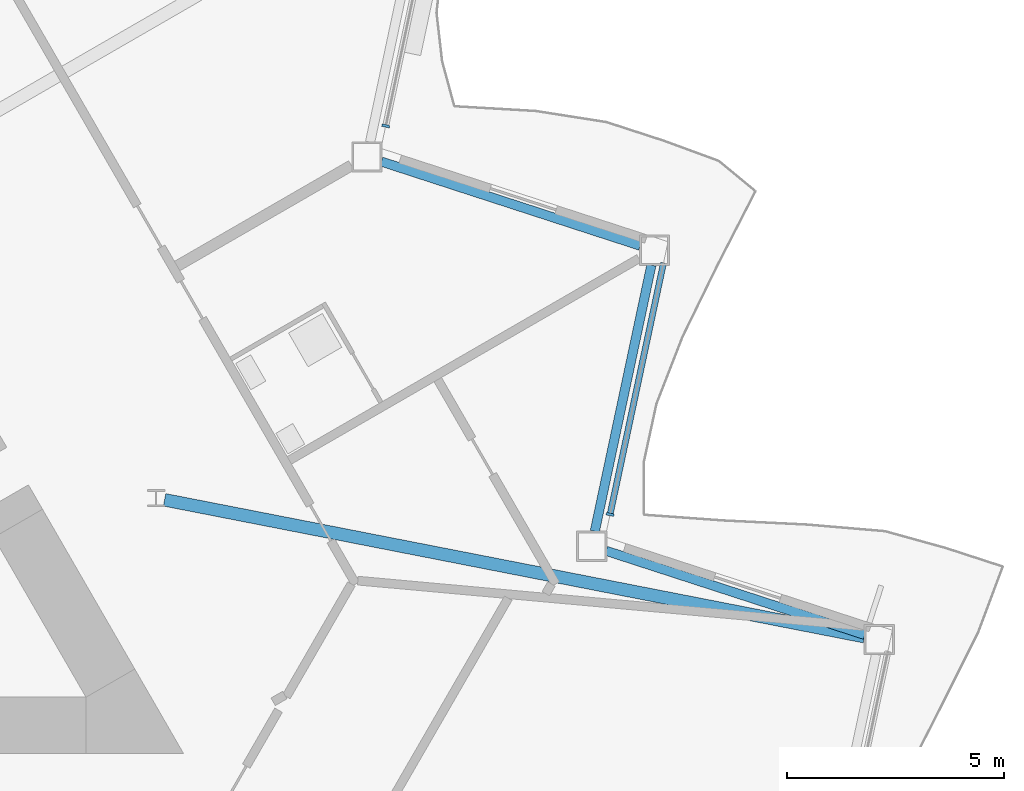
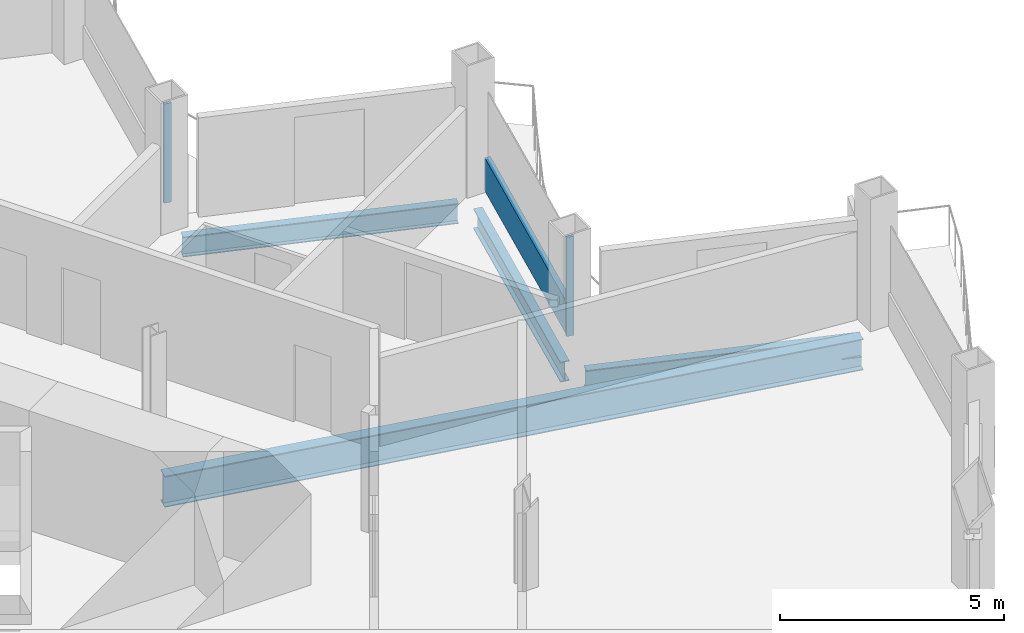
# One storey, part 7 of 23: 4 beams, 3 members, 2 elements without a shape of their own.
"""IFC4 building model written with IfcOpenShell, lengths in metres."""

from ifc_helpers import new_model, si_unit, direction, frame, origin, origin_2d, place, context, subcontext, project, spatial, rectangle, i_section, extrude, material, layer, layer_set, material_profile, profile_set, type_object, element, aggregate, save


model = new_model("IFC4")

# Units and contexts
model_context = context("Model", 3, precision=1e-05, world=origin(), true_north=direction((0.0, 1.0)))
body_context = subcontext(model_context, "Body", "Model", "MODEL_VIEW")
ifc_project = project(units=[si_unit("LENGTHUNIT", "METRE"), si_unit("AREAUNIT", "SQUARE_METRE"), si_unit("VOLUMEUNIT", "CUBIC_METRE"), si_unit("PLANEANGLEUNIT", "RADIAN"), si_unit("MASSUNIT", "GRAM", prefix="KILO")], contexts=[model_context])

# Site, building, storey
site_placement = place(None, origin())
site = spatial("IfcSite", under=ifc_project, at=site_placement, CompositionType="ELEMENT")
building_placement = place(site_placement, origin())
building = spatial("IfcBuilding", under=site, at=building_placement, Name="Cormorant Prow Tower", CompositionType="ELEMENT")
storey_placement = place(building_placement, frame((0.0, 0.0, 252.60009765625)))
storey = spatial("IfcBuildingStorey", under=building, at=storey_placement, Name="L56", CompositionType="ELEMENT", Elevation=252.60009765625)

# Curtain wall, member
ifc_material_1 = material(Name="Aluminium 6063-T6", Category="aluminium")
ifc_layer = layer(ifc_material_1, 0.179931640625)
ifc_layer_set = layer_set([ifc_layer], Name="Aluminium 6063-T6")
curtain_wall_type = type_object("IfcCurtainWallType", Name="Hotel unitised curtain wall 180", PredefinedType="NOTDEFINED", material=ifc_layer_set)
curtain_wall_1_placement = place(storey_placement, origin())
curtain_wall_1 = element("IfcCurtainWall", 1, at=curtain_wall_1_placement, inside=storey, type_object=curtain_wall_type, Name="Hotel curtain wall ENE02", PredefinedType="NOTDEFINED")
ifc_material_2 = material(Name="Aluminium 6063-T6", Category="aluminium")
ifc_material_profile_1 = material_profile(ifc_material_2, rectangle(XDim=0.179931640625, YDim=0.06005859375, at=origin_2d()), Name="Hotel mullion 60x180")
ifc_profile_set_1 = profile_set([ifc_material_profile_1], Name="Aluminium 6063-T6")
member_type_1 = type_object("IfcMemberType", Name="Hotel mullion 60x180", PredefinedType="MULLION", material=ifc_profile_set_1)
member_1_placement = place(storey_placement, frame((24.84814453125, -3.140625, 0.0), z_axis=(0.0, 0.0, 1.0), x_axis=(-0.978147601216, 0.207911688547, 0.0)))
member_1 = element("IfcMember", 2, at=member_1_placement, type_object=member_type_1, Name="Hotel mullion ENE02", PredefinedType="MULLION", context=body_context, shape_type="SweptSolid", body=[
    extrude(rectangle(XDim=0.179931640625, YDim=0.06005859375, at=origin_2d()), origin(), (0.0, 0.0, 1.0), 2.70068359375),
])

curtain_wall_2_placement = place(storey_placement, origin())
curtain_wall_2 = element("IfcCurtainWall", 3, at=curtain_wall_2_placement, inside=storey, type_object=curtain_wall_type, Name="Hotel curtain wall ENE04", PredefinedType="NOTDEFINED")
member_2_placement = place(storey_placement, frame((19.668701171875, 5.83056640625, 0.0), z_axis=(0.0, 0.0, 1.0), x_axis=(-0.978147572038, 0.207911825822, 0.0)))
member_2 = element("IfcMember", 4, at=member_2_placement, type_object=member_type_1, Name="Hotel mullion ENE04", PredefinedType="MULLION", context=body_context, shape_type="SweptSolid", body=[
    extrude(rectangle(XDim=0.179931640625, YDim=0.06005859375, at=origin_2d()), origin(), (0.0, 0.0, 1.0), 2.70068359375),
])
aggregate(curtain_wall_2, [member_2])

# Member
ifc_material_3 = material(Name="Terracotta", Category="masonry")
ifc_material_profile_2 = material_profile(ifc_material_3, rectangle(XDim=0.139892578125, YDim=0.89990234375, at=origin_2d()), Name="Hotel terracotta spandrel rail 140x900")
ifc_profile_set_2 = profile_set([ifc_material_profile_2], Name="Terracotta")
member_type_2 = type_object("IfcMemberType", Name="Hotel terracotta spandrel rail 140x900", PredefinedType="USERDEFINED", material=ifc_profile_set_2)
member_3_placement = place(storey_placement, frame((24.8544921875, -3.111328125, 0.449951171875), z_axis=(0.207903236983, 0.978149397614, 0.0), x_axis=(-0.978149397614, 0.207903236983, 0.0)))
member_3 = element("IfcMember", 5, at=member_3_placement, type_object=member_type_2, Name="Hotel spandrel rail ENE02", ObjectType="TRANSOM", PredefinedType="USERDEFINED", context=body_context, shape_type="SweptSolid", body=[
    extrude(rectangle(XDim=0.139892578125, YDim=0.89990234375, at=origin_2d()), origin(), (0.0, 0.0, 1.0), 5.907958984375),
])

aggregate(curtain_wall_1, [member_1, member_3])

# Beams
ifc_material_4 = material(Name="Structural steel ASTM A992 Gr 50", Category="steel")
ifc_material_profile_3 = material_profile(ifc_material_4, i_section(OverallWidth=0.29296875, OverallDepth=0.845703125, WebThickness=0.015380859375, FlangeThickness=0.0244140625, at=origin_2d()), Name="W33x141")
ifc_profile_set_3 = profile_set([ifc_material_profile_3], Name="Structural steel ASTM A992 Gr 50")
beam_type_1 = type_object("IfcBeamType", Name="Radial floor beam W33x141", PredefinedType="BEAM", material=ifc_profile_set_3)
beam_placement = place(storey_placement, frame((14.5634765625, -2.80322265625, -0.77294921875), z_axis=(0.981419133752, -0.191876220269, 0.0), x_axis=(0.191876220269, 0.981419133752, 0.0)))
element("IfcBeam", 6, at=beam_placement, inside=storey, type_object=beam_type_1, Name="Radial floor beam FB2 10 L56", PredefinedType="BEAM", context=body_context, shape_type="SweptSolid", body=[
    extrude(i_section(OverallWidth=0.29296875, OverallDepth=0.845703125, WebThickness=0.015380859375, FlangeThickness=0.0244140625, at=origin_2d()), origin(), (0.0, 0.0, 1.0), 16.462158203125),
])
ifc_material_5 = material(Name="Structural steel ASTM A992 Gr 50", Category="steel")
ifc_material_profile_4 = material_profile(ifc_material_5, i_section(OverallWidth=0.2138671875, OverallDepth=0.549072265625, WebThickness=0.0146484375, FlangeThickness=0.023681640625, at=origin_2d()), Name="W21x93")
ifc_profile_set_4 = profile_set([ifc_material_profile_4], Name="Structural steel ASTM A992 Gr 50")
beam_type_2 = type_object("IfcBeamType", Name="Spandrel beam W21x93", PredefinedType="SPANDREL", material=ifc_profile_set_4)
for number, where, z_axis, x_axis, name in (
    (7, (30.730224609375, -5.9208984375, -0.624755859375), (-0.951061771288, 0.309000820701, 0.0), (-0.309000820701, -0.951061771288, 0.0), "Spandrel beam SB2 ENE01-ENE02 L56"),
    (8, (24.49609375, -3.529296875, -0.624755859375), (0.207941499013, 0.978141264331, 0.0), (-0.978141264331, 0.207941499013, 0.0), "Spandrel beam SB2 ENE02-ENE03 L56"),
    (9, (25.5419921875, 3.0654296875, -0.624755859375), (-0.951061771288, 0.309000820701, 0.0), (-0.309000820701, -0.951061771288, 0.0), "Spandrel beam SB2 ENE03-ENE04 L56"),
):
    element("IfcBeam", number, at=place(storey_placement, frame(where, z_axis=z_axis, x_axis=x_axis)), inside=storey, type_object=beam_type_2, Name=name, PredefinedType="SPANDREL", context=body_context, shape_type="SweptSolid", body=[
        extrude(i_section(OverallWidth=0.2138671875, OverallDepth=0.549072265625, WebThickness=0.0146484375, FlangeThickness=0.023681640625, at=origin_2d()), origin(), (0.0, 0.0, 1.0), 6.28125),
    ])

save(model, "model.ifc")
